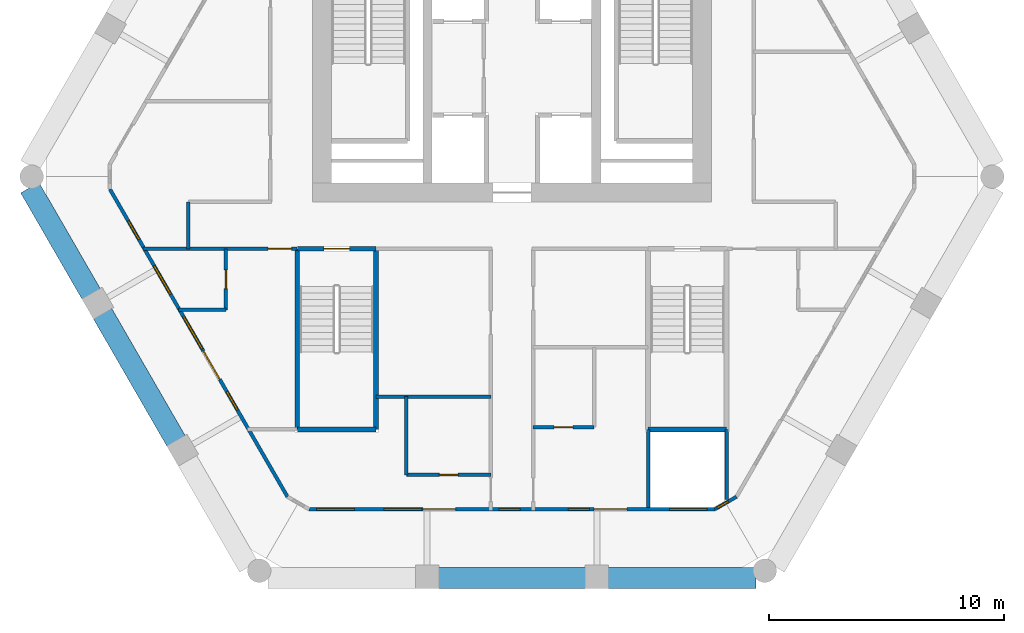
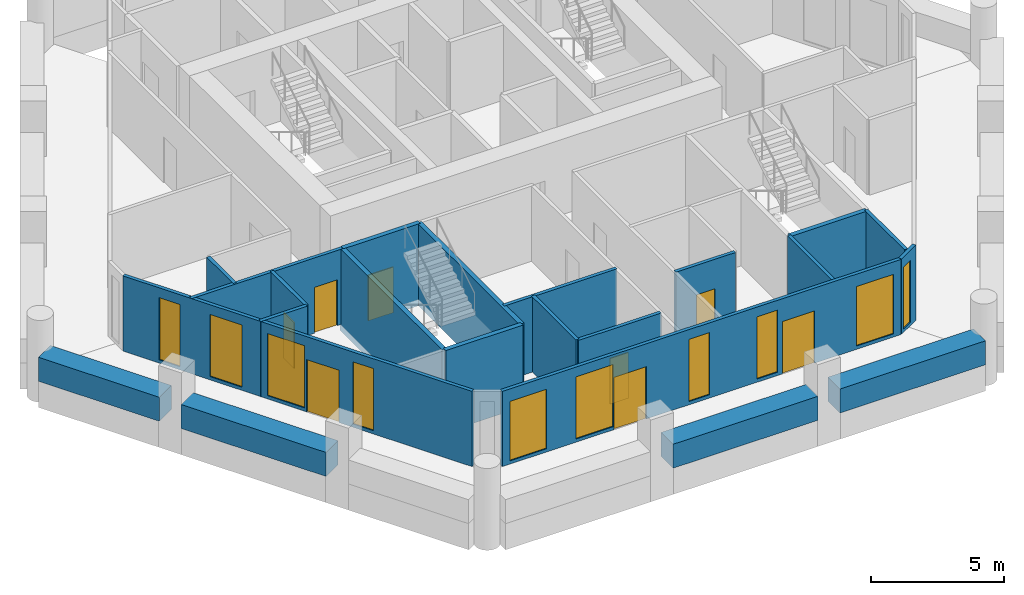
# One storey, part 2 of 7: 22 walls, 10 windows, 8 doors, 18 openings.
"""IFC4 building model written with IfcOpenShell, lengths in metres."""

from ifc_helpers import new_model, si_unit, direction, frame, frame_2d, origin, place, context, subcontext, project, spatial, rectangle, extrude, material, layer, layer_set, type_object, element, fill, save


model = new_model("IFC4")

# Units and contexts
model_context = context("Model", 3, precision=1e-05, world=origin(), true_north=direction((0.0, 1.0)))
body_context = subcontext(model_context, "Body", "Model", "MODEL_VIEW")
ifc_project = project(units=[si_unit("LENGTHUNIT", "METRE"), si_unit("AREAUNIT", "SQUARE_METRE"), si_unit("VOLUMEUNIT", "CUBIC_METRE"), si_unit("PLANEANGLEUNIT", "RADIAN"), si_unit("MASSUNIT", "GRAM", prefix="KILO")], contexts=[model_context])

# Site, building, storey
site_placement = place(None, origin())
site = spatial("IfcSite", under=ifc_project, at=site_placement, CompositionType="ELEMENT")
building_placement = place(site_placement, origin())
building = spatial("IfcBuilding", under=site, at=building_placement, Name="Ostrander Bayou Hotel Tower", CompositionType="ELEMENT")
storey_placement = place(building_placement, frame((0.0, 0.0, 183.25)))
storey = spatial("IfcBuildingStorey", under=building, at=storey_placement, Name="L45", CompositionType="ELEMENT", Elevation=183.25)

# Wall, openings, door, windows
ifc_material_1 = material(Name="Aluminium framed insulated wall", Category="aluminium")
ifc_layer_1 = layer(ifc_material_1, 0.14990234375)
ifc_layer_set_1 = layer_set([ifc_layer_1], Name="GW1 glass-line wall 150 mm")
wall_type_1 = type_object("IfcWallType", Name="GW1 glass-line wall 150 mm", PredefinedType="SOLIDWALL", material=ifc_layer_set_1)
wall_1_placement = place(storey_placement, frame((-17.144775390625, -1.154296875, 0.0), z_axis=(0.0, 0.0, 1.0), x_axis=(0.500005248668, -0.866022373443, 0.0)))
wall_1 = element("IfcWall", 1, at=wall_1_placement, inside=storey, type_object=wall_type_1, Name="GW1 L45 SW 1", PredefinedType="SOLIDWALL", context=body_context, shape_type="SweptSolid", body=[
    extrude(rectangle(XDim=15.145263671875, YDim=0.14990234375, at=frame_2d((7.57275390625, 0.0))), origin(), (0.0, 0.0, 1.0), 3.449951171875),
])
opening_1_placement = place(wall_1_placement, frame((1.57275390625, 0.0, 0.14990234375)))
opening_1 = element("IfcOpeningElement", 2, at=opening_1_placement, cuts=wall_1, Name="Opening W17", PredefinedType="OPENING", context=body_context, shape_type="SweptSolid", body=[
    extrude(rectangle(XDim=0.89990234375, YDim=2.85009765625, at=frame_2d((0.449951171875, 1.425048828125))), frame((0.0, 0.074951171875, 0.0), z_axis=(0.0, -1.0, 0.0), x_axis=(1.0, 0.0, 0.0)), (0.0, 0.0, 1.0), 0.14990234375),
])
opening_2_placement = place(wall_1_placement, frame((3.772705078125, 0.0, 0.14990234375)))
opening_2 = element("IfcOpeningElement", 3, at=opening_2_placement, cuts=wall_1, Name="Opening W13", PredefinedType="OPENING", context=body_context, shape_type="SweptSolid", body=[
    extrude(rectangle(XDim=1.39990234375, YDim=2.85009765625, at=frame_2d((0.699951171875, 1.425048828125))), frame((0.0, 0.074951171875, 0.0), z_axis=(0.0, -1.0, 0.0), x_axis=(1.0, 0.0, 0.0)), (0.0, 0.0, 1.0), 0.14990234375),
])
opening_3_placement = place(wall_1_placement, frame((6.265625, 0.0, 0.14990234375)))
opening_3 = element("IfcOpeningElement", 4, at=opening_3_placement, cuts=wall_1, Name="Opening W3", PredefinedType="OPENING", context=body_context, shape_type="SweptSolid", body=[
    extrude(rectangle(XDim=1.60009765625, YDim=2.85009765625, at=frame_2d((0.800048828125, 1.425048828125))), frame((0.0, 0.074951171875, 0.0), z_axis=(0.0, -1.0, 0.0), x_axis=(1.0, 0.0, 0.0)), (0.0, 0.0, 1.0), 0.14990234375),
])
opening_4_placement = place(wall_1_placement, frame((7.97265625, 0.0, 0.0)))
opening_4 = element("IfcOpeningElement", 5, at=opening_4_placement, cuts=wall_1, Name="Opening T44-801", PredefinedType="OPENING", context=body_context, shape_type="SweptSolid", body=[
    extrude(rectangle(XDim=1.39990234375, YDim=2.39990234375, at=frame_2d((0.699951171875, 1.199951171875))), frame((0.0, 0.074951171875, 0.0), z_axis=(0.0, -1.0, 0.0), x_axis=(1.0, 0.0, 0.0)), (0.0, 0.0, 1.0), 0.14990234375),
])
opening_5_placement = place(wall_1_placement, frame((9.97265625, 0.0, 0.14990234375)))
opening_5 = element("IfcOpeningElement", 6, at=opening_5_placement, cuts=wall_1, Name="Opening W17", PredefinedType="OPENING", context=body_context, shape_type="SweptSolid", body=[
    extrude(rectangle(XDim=0.89990234375, YDim=2.85009765625, at=frame_2d((0.449951171875, 1.425048828125))), frame((0.0, 0.074951171875, 0.0), z_axis=(0.0, -1.0, 0.0), x_axis=(1.0, 0.0, 0.0)), (0.0, 0.0, 1.0), 0.14990234375),
])
ifc_material_2 = material(Name="Aluminium and clear glass", Category="aluminium")
door_type_1 = type_object("IfcDoorType", Name="SD3 sliding glass door 1400 mm, zone 3", OperationType="SLIDING_TO_LEFT", PredefinedType="DOOR", material=ifc_material_2)
door_1_placement = place(opening_4_placement, origin())
door_1 = element("IfcDoor", 7, at=door_1_placement, inside=storey, type_object=door_type_1, Name="SD3 L45 SW 2", OperationType="SLIDING_TO_RIGHT", OverallHeight=2.39990234375, OverallWidth=1.39990234375, PredefinedType="DOOR", context=body_context, shape_type="SweptSolid", body=[
    extrude(rectangle(XDim=1.39990234375, YDim=2.39990234375, at=frame_2d((0.699951171875, 1.199951171875))), frame((0.0, 0.02490234375, 0.0), z_axis=(0.0, -1.0, 0.0), x_axis=(1.0, 0.0, 0.0)), (0.0, 0.0, 1.0), 0.050048828125),
])
fill(opening_4, door_1)
ifc_material_3 = material(Name="Aluminium and clear glass", Category="aluminium")
window_type_1 = type_object("IfcWindowType", Name="W13 fixed window 1400 mm, bath bay, zone 3", PartitioningType="SINGLE_PANEL", PredefinedType="WINDOW", material=ifc_material_3)
window_1_placement = place(opening_2_placement, origin())
window_1 = element("IfcWindow", 8, at=window_1_placement, inside=storey, type_object=window_type_1, Name="W13 L45 SW 1", OverallHeight=2.85009765625, OverallWidth=1.39990234375, PartitioningType="SINGLE_PANEL", PredefinedType="WINDOW", context=body_context, shape_type="SweptSolid", body=[
    extrude(rectangle(XDim=1.39990234375, YDim=2.85009765625, at=frame_2d((0.699951171875, 1.425048828125))), frame((0.0, 0.030029296875, 0.0), z_axis=(0.0, -1.0, 0.0), x_axis=(1.0, 0.0, 0.0)), (0.0, 0.0, 1.0), 0.06005859375),
])
fill(opening_2, window_1)
ifc_material_4 = material(Name="Aluminium and clear glass", Category="aluminium")
window_type_2 = type_object("IfcWindowType", Name="W17 window 900 mm, zone 3", PartitioningType="SINGLE_PANEL", PredefinedType="WINDOW", material=ifc_material_4)
window_2_placement = place(opening_1_placement, origin())
window_2 = element("IfcWindow", 9, at=window_2_placement, inside=storey, type_object=window_type_2, Name="W17 L45 SW 1", OverallHeight=2.85009765625, OverallWidth=0.89990234375, PartitioningType="SINGLE_PANEL", PredefinedType="WINDOW", context=body_context, shape_type="SweptSolid", body=[
    extrude(rectangle(XDim=0.89990234375, YDim=2.85009765625, at=frame_2d((0.449951171875, 1.425048828125))), frame((0.0, 0.030029296875, 0.0), z_axis=(0.0, -1.0, 0.0), x_axis=(1.0, 0.0, 0.0)), (0.0, 0.0, 1.0), 0.06005859375),
])
fill(opening_1, window_2)
window_3_placement = place(opening_5_placement, origin())
window_3 = element("IfcWindow", 10, at=window_3_placement, inside=storey, type_object=window_type_2, Name="W17 L45 SW 3", OverallHeight=2.85009765625, OverallWidth=0.89990234375, PartitioningType="SINGLE_PANEL", PredefinedType="WINDOW", context=body_context, shape_type="SweptSolid", body=[
    extrude(rectangle(XDim=0.89990234375, YDim=2.85009765625, at=frame_2d((0.449951171875, 1.425048828125))), frame((0.0, 0.030029296875, 0.0), z_axis=(0.0, -1.0, 0.0), x_axis=(1.0, 0.0, 0.0)), (0.0, 0.0, 1.0), 0.06005859375),
])
fill(opening_5, window_3)
ifc_material_5 = material(Name="Aluminium and clear glass", Category="aluminium")
window_type_3 = type_object("IfcWindowType", Name="W3 fixed window 1600 mm, zone 3", PartitioningType="SINGLE_PANEL", PredefinedType="WINDOW", material=ifc_material_5)
window_4_placement = place(opening_3_placement, origin())
window_4 = element("IfcWindow", 11, at=window_4_placement, inside=storey, type_object=window_type_3, Name="W3 L45 SW 2", OverallHeight=2.85009765625, OverallWidth=1.60009765625, PartitioningType="SINGLE_PANEL", PredefinedType="WINDOW", context=body_context, shape_type="SweptSolid", body=[
    extrude(rectangle(XDim=1.60009765625, YDim=2.85009765625, at=frame_2d((0.800048828125, 1.425048828125))), frame((0.0, 0.030029296875, 0.0), z_axis=(0.0, -1.0, 0.0), x_axis=(1.0, 0.0, 0.0)), (0.0, 0.0, 1.0), 0.06005859375),
])
fill(opening_3, window_4)

# Wall, openings, doors, windows
wall_2_placement = place(storey_placement, frame((-8.64990234375, -14.802978515625, 0.0), z_axis=(0.0, 0.0, 1.0), x_axis=(1.0, 0.0, 0.0)))
wall_2 = element("IfcWall", 12, at=wall_2_placement, inside=storey, type_object=wall_type_1, Name="GW1 L45 S 1", PredefinedType="SOLIDWALL", context=body_context, shape_type="SweptSolid", body=[
    extrude(rectangle(XDim=17.2998046875, YDim=0.14990234375, at=frame_2d((8.64990234375, 0.0))), origin(), (0.0, 0.0, 1.0), 3.449951171875),
])
opening_6_placement = place(wall_2_placement, frame((3.19970703125, 0.0, 0.14990234375)))
opening_6 = element("IfcOpeningElement", 13, at=opening_6_placement, cuts=wall_2, Name="Opening W3", PredefinedType="OPENING", context=body_context, shape_type="SweptSolid", body=[
    extrude(rectangle(XDim=1.60009765625, YDim=2.85009765625, at=frame_2d((0.800048828125, 1.425048828125))), frame((0.0, 0.074951171875, 0.0), z_axis=(0.0, -1.0, 0.0), x_axis=(1.0, 0.0, 0.0)), (0.0, 0.0, 1.0), 0.14990234375),
])
opening_7_placement = place(wall_2_placement, frame((4.849853515625, 0.0, 0.0)))
opening_7 = element("IfcOpeningElement", 14, at=opening_7_placement, cuts=wall_2, Name="Opening T44-802", PredefinedType="OPENING", context=body_context, shape_type="SweptSolid", body=[
    extrude(rectangle(XDim=1.39990234375, YDim=2.39990234375, at=frame_2d((0.699951171875, 1.199951171875))), frame((0.0, 0.074951171875, 0.0), z_axis=(0.0, -1.0, 0.0), x_axis=(1.0, 0.0, 0.0)), (0.0, 0.0, 1.0), 0.14990234375),
])
opening_8_placement = place(wall_2_placement, frame((8.099853515625, 0.0, 0.14990234375)))
opening_8 = element("IfcOpeningElement", 15, at=opening_8_placement, cuts=wall_2, Name="Opening W17", PredefinedType="OPENING", context=body_context, shape_type="SweptSolid", body=[
    extrude(rectangle(XDim=0.89990234375, YDim=2.85009765625, at=frame_2d((0.449951171875, 1.425048828125))), frame((0.0, 0.074951171875, 0.0), z_axis=(0.0, -1.0, 0.0), x_axis=(1.0, 0.0, 0.0)), (0.0, 0.0, 1.0), 0.14990234375),
])
opening_9_placement = place(wall_2_placement, frame((11.0498046875, 0.0, 0.14990234375)))
opening_9 = element("IfcOpeningElement", 16, at=opening_9_placement, cuts=wall_2, Name="Opening W17", PredefinedType="OPENING", context=body_context, shape_type="SweptSolid", body=[
    extrude(rectangle(XDim=0.89990234375, YDim=2.85009765625, at=frame_2d((0.449951171875, 1.425048828125))), frame((0.0, 0.074951171875, 0.0), z_axis=(0.0, -1.0, 0.0), x_axis=(1.0, 0.0, 0.0)), (0.0, 0.0, 1.0), 0.14990234375),
])
opening_10_placement = place(wall_2_placement, frame((12.14990234375, 0.0, 0.0)))
opening_10 = element("IfcOpeningElement", 17, at=opening_10_placement, cuts=wall_2, Name="Opening T44-803", PredefinedType="OPENING", context=body_context, shape_type="SweptSolid", body=[
    extrude(rectangle(XDim=1.39990234375, YDim=2.39990234375, at=frame_2d((0.699951171875, 1.199951171875))), frame((0.0, 0.074951171875, 0.0), z_axis=(0.0, -1.0, 0.0), x_axis=(1.0, 0.0, 0.0)), (0.0, 0.0, 1.0), 0.14990234375),
])
opening_11_placement = place(wall_2_placement, frame((0.324951171875, 0.0, 0.14990234375)))
opening_11 = element("IfcOpeningElement", 18, at=opening_11_placement, cuts=wall_2, Name="Opening W3", PredefinedType="OPENING", context=body_context, shape_type="SweptSolid", body=[
    extrude(rectangle(XDim=1.60009765625, YDim=2.72998046875, at=frame_2d((0.800048828125, 1.364990234375))), frame((0.0, 0.074951171875, 0.0), z_axis=(0.0, -1.0, 0.0), x_axis=(1.0, 0.0, 0.0)), (0.0, 0.0, 1.0), 0.14990234375),
])
opening_12_placement = place(wall_2_placement, frame((15.374755859375, 0.0, 0.14990234375)))
opening_12 = element("IfcOpeningElement", 19, at=opening_12_placement, cuts=wall_2, Name="Opening W3", PredefinedType="OPENING", context=body_context, shape_type="SweptSolid", body=[
    extrude(rectangle(XDim=1.60009765625, YDim=2.72998046875, at=frame_2d((0.800048828125, 1.364990234375))), frame((0.0, 0.074951171875, 0.0), z_axis=(0.0, -1.0, 0.0), x_axis=(1.0, 0.0, 0.0)), (0.0, 0.0, 1.0), 0.14990234375),
])
door_2_placement = place(opening_7_placement, origin())
door_2 = element("IfcDoor", 20, at=door_2_placement, inside=storey, type_object=door_type_1, Name="SD3 L45 S 1", OperationType="SLIDING_TO_LEFT", OverallHeight=2.39990234375, OverallWidth=1.39990234375, PredefinedType="DOOR", context=body_context, shape_type="SweptSolid", body=[
    extrude(rectangle(XDim=1.39990234375, YDim=2.39990234375, at=frame_2d((0.699951171875, 1.199951171875))), frame((0.0, 0.02490234375, 0.0), z_axis=(0.0, -1.0, 0.0), x_axis=(1.0, 0.0, 0.0)), (0.0, 0.0, 1.0), 0.050048828125),
])
fill(opening_7, door_2)
door_3_placement = place(opening_10_placement, origin())
door_3 = element("IfcDoor", 21, at=door_3_placement, inside=storey, type_object=door_type_1, Name="SD3 L45 S 3", OperationType="SLIDING_TO_LEFT", OverallHeight=2.39990234375, OverallWidth=1.39990234375, PredefinedType="DOOR", context=body_context, shape_type="SweptSolid", body=[
    extrude(rectangle(XDim=1.39990234375, YDim=2.39990234375, at=frame_2d((0.699951171875, 1.199951171875))), frame((0.0, 0.02490234375, 0.0), z_axis=(0.0, -1.0, 0.0), x_axis=(1.0, 0.0, 0.0)), (0.0, 0.0, 1.0), 0.050048828125),
])
fill(opening_10, door_3)
window_5_placement = place(opening_8_placement, origin())
window_5 = element("IfcWindow", 22, at=window_5_placement, inside=storey, type_object=window_type_2, Name="W17 L45 S 2", OverallHeight=2.85009765625, OverallWidth=0.89990234375, PartitioningType="SINGLE_PANEL", PredefinedType="WINDOW", context=body_context, shape_type="SweptSolid", body=[
    extrude(rectangle(XDim=0.89990234375, YDim=2.85009765625, at=frame_2d((0.449951171875, 1.425048828125))), frame((0.0, 0.030029296875, 0.0), z_axis=(0.0, -1.0, 0.0), x_axis=(1.0, 0.0, 0.0)), (0.0, 0.0, 1.0), 0.06005859375),
])
fill(opening_8, window_5)
window_6_placement = place(opening_9_placement, origin())
window_6 = element("IfcWindow", 23, at=window_6_placement, inside=storey, type_object=window_type_2, Name="W17 L45 S 3", OverallHeight=2.85009765625, OverallWidth=0.89990234375, PartitioningType="SINGLE_PANEL", PredefinedType="WINDOW", context=body_context, shape_type="SweptSolid", body=[
    extrude(rectangle(XDim=0.89990234375, YDim=2.85009765625, at=frame_2d((0.449951171875, 1.425048828125))), frame((0.0, 0.030029296875, 0.0), z_axis=(0.0, -1.0, 0.0), x_axis=(1.0, 0.0, 0.0)), (0.0, 0.0, 1.0), 0.06005859375),
])
fill(opening_9, window_6)
window_7_placement = place(opening_6_placement, origin())
window_7 = element("IfcWindow", 24, at=window_7_placement, inside=storey, type_object=window_type_3, Name="W3 L45 S 1", OverallHeight=2.85009765625, OverallWidth=1.60009765625, PartitioningType="SINGLE_PANEL", PredefinedType="WINDOW", context=body_context, shape_type="SweptSolid", body=[
    extrude(rectangle(XDim=1.60009765625, YDim=2.85009765625, at=frame_2d((0.800048828125, 1.425048828125))), frame((0.0, 0.030029296875, 0.0), z_axis=(0.0, -1.0, 0.0), x_axis=(1.0, 0.0, 0.0)), (0.0, 0.0, 1.0), 0.06005859375),
])
fill(opening_6, window_7)
window_8_placement = place(opening_11_placement, origin())
window_8 = element("IfcWindow", 25, at=window_8_placement, inside=storey, type_object=window_type_3, Name="W3 L45 S E11", OverallHeight=2.72998046875, OverallWidth=1.60009765625, PartitioningType="SINGLE_PANEL", PredefinedType="WINDOW", context=body_context, shape_type="SweptSolid", body=[
    extrude(rectangle(XDim=1.60009765625, YDim=2.72998046875, at=frame_2d((0.800048828125, 1.364990234375))), frame((0.0, 0.030029296875, 0.0), z_axis=(0.0, -1.0, 0.0), x_axis=(1.0, 0.0, 0.0)), (0.0, 0.0, 1.0), 0.06005859375),
])
fill(opening_11, window_8)
window_9_placement = place(opening_12_placement, origin())
window_9 = element("IfcWindow", 26, at=window_9_placement, inside=storey, type_object=window_type_3, Name="W3 L45 S E21", OverallHeight=2.72998046875, OverallWidth=1.60009765625, PartitioningType="SINGLE_PANEL", PredefinedType="WINDOW", context=body_context, shape_type="SweptSolid", body=[
    extrude(rectangle(XDim=1.60009765625, YDim=2.72998046875, at=frame_2d((0.800048828125, 1.364990234375))), frame((0.0, 0.030029296875, 0.0), z_axis=(0.0, -1.0, 0.0), x_axis=(1.0, 0.0, 0.0)), (0.0, 0.0, 1.0), 0.06005859375),
])
fill(opening_12, window_9)

# Wall, opening, window
wall_3_placement = place(storey_placement, frame((8.64990234375, -14.802978515625, 0.0), z_axis=(0.0, 0.0, 1.0), x_axis=(0.865990848561, 0.500059846627, 0.0)))
wall_3 = element("IfcWall", 27, at=wall_3_placement, inside=storey, type_object=wall_type_1, Name="GW1 L45 corner 4", PredefinedType="SOLIDWALL", context=body_context, shape_type="SweptSolid", body=[
    extrude(rectangle(XDim=1.064697265625, YDim=0.14990234375, at=frame_2d((0.5322265625, 0.0))), origin(), (0.0, 0.0, 1.0), 3.449951171875),
])
opening_13_placement = place(wall_3_placement, frame((0.1201171875, 0.0, 0.14990234375)))
opening_13 = element("IfcOpeningElement", 28, at=opening_13_placement, cuts=wall_3, Name="Opening W19", PredefinedType="OPENING", context=body_context, shape_type="SweptSolid", body=[
    extrude(rectangle(XDim=0.550048828125, YDim=2.85009765625, at=frame_2d((0.27490234375, 1.425048828125))), frame((0.0, 0.074951171875, 0.0), z_axis=(0.0, -1.0, 0.0), x_axis=(1.0, 0.0, 0.0)), (0.0, 0.0, 1.0), 0.14990234375),
])
ifc_material_6 = material(Name="Aluminium and clear glass", Category="aluminium")
window_type_4 = type_object("IfcWindowType", Name="W19 corner window 550 mm", PartitioningType="SINGLE_PANEL", PredefinedType="WINDOW", material=ifc_material_6)
window_10_placement = place(opening_13_placement, origin())
window_10 = element("IfcWindow", 29, at=window_10_placement, inside=storey, type_object=window_type_4, Name="W19 L45 corner 4", OverallHeight=2.85009765625, OverallWidth=0.550048828125, PartitioningType="SINGLE_PANEL", PredefinedType="WINDOW", context=body_context, shape_type="SweptSolid", body=[
    extrude(rectangle(XDim=0.550048828125, YDim=2.85009765625, at=frame_2d((0.27490234375, 1.425048828125))), frame((0.0, 0.030029296875, 0.0), z_axis=(0.0, -1.0, 0.0), x_axis=(1.0, 0.0, 0.0)), (0.0, 0.0, 1.0), 0.06005859375),
])
fill(opening_13, window_10)

# Walls
ifc_material_7 = material(Name="Concrete f'c 40 MPa", Category="concrete")
ifc_layer_2 = layer(ifc_material_7, 0.89990234375)
ifc_layer_set_2 = layer_set([ifc_layer_2], Name="PA1 stone-faced parapet 900 mm")
wall_type_2 = type_object("IfcWallType", Name="PA1 stone-faced parapet 900 mm", PredefinedType="PARAPET", material=ifc_layer_set_2)
wall_4_placement = place(storey_placement, frame((-3.148193359375, -17.72802734375, 0.0), z_axis=(0.0, 0.0, 1.0), x_axis=(1.0, 0.0, 0.0)))
element("IfcWall", 30, at=wall_4_placement, inside=storey, type_object=wall_type_2, Name="PA1 L45 S-2", PredefinedType="PARAPET", context=body_context, shape_type="SweptSolid", body=[
    extrude(rectangle(XDim=6.29638671875, YDim=0.89990234375, at=frame_2d((3.148193359375, 0.0))), origin(), (0.0, 0.0, 1.0), 1.10009765625),
])
wall_5_placement = place(storey_placement, frame((4.088134765625, -17.72802734375, 0.0), z_axis=(0.0, 0.0, 1.0), x_axis=(1.0, 0.0, 0.0)))
element("IfcWall", 31, at=wall_5_placement, inside=storey, type_object=wall_type_2, Name="PA1 L45 S-3", PredefinedType="PARAPET", context=body_context, shape_type="SweptSolid", body=[
    extrude(rectangle(XDim=6.32275390625, YDim=0.89990234375, at=frame_2d((3.161376953125, 0.0))), origin(), (0.0, 0.0, 1.0), 1.10009765625),
])
ifc_material_8 = material(Name="Limestone masonry", Category="masonry")
ifc_layer_3 = layer(ifc_material_8, 0.89990234375)
ifc_layer_set_3 = layer_set([ifc_layer_3], Name="PA2 limestone parapet 900 mm")
wall_type_3 = type_object("IfcWallType", Name="PA2 limestone parapet 900 mm", PredefinedType="PARAPET", material=ifc_layer_set_3)
wall_6_placement = place(storey_placement, frame((-20.55859375, -1.091552734375, 0.0), z_axis=(0.0, 0.0, 1.0), x_axis=(0.500023253097, -0.866011978186, 0.0)))
element("IfcWall", 32, at=wall_6_placement, inside=storey, type_object=wall_type_3, Name="PA2 L45 SW-1", PredefinedType="PARAPET", context=body_context, shape_type="SweptSolid", body=[
    extrude(rectangle(XDim=5.245849609375, YDim=0.89990234375, at=frame_2d((2.623046875, 0.0))), origin(), (0.0, 0.0, 1.0), 1.10009765625),
])
wall_7_placement = place(storey_placement, frame((-17.465576171875, -6.44873046875, 0.0), z_axis=(0.0, 0.0, 1.0), x_axis=(0.500013351051, -0.866017695414, 0.0)))
element("IfcWall", 33, at=wall_7_placement, inside=storey, type_object=wall_type_3, Name="PA2 L45 SW-2", PredefinedType="PARAPET", context=body_context, shape_type="SweptSolid", body=[
    extrude(rectangle(XDim=6.296142578125, YDim=0.89990234375, at=frame_2d((3.14794921875, 0.0))), origin(), (0.0, 0.0, 1.0), 1.10009765625),
])
ifc_material_9 = material(Name="Gypsum board partition", Category="finish")
ifc_layer_4 = layer(ifc_material_9, 0.14990234375)
ifc_layer_set_4 = layer_set([ifc_layer_4], Name="PT7 riser wall 150 mm, 2 hour")
wall_type_4 = type_object("IfcWallType", Name="PT7 riser wall 150 mm, 2 hour", PredefinedType="PARTITIONING", material=ifc_layer_set_4)
wall_8_placement = place(storey_placement, frame((5.800048828125, -11.39990234375, 0.0), z_axis=(0.0, 0.0, 1.0), x_axis=(0.0, -1.0, 0.0)))
element("IfcWall", 34, at=wall_8_placement, inside=storey, type_object=wall_type_4, Name="cs:L45:019", PredefinedType="PARTITIONING", context=body_context, shape_type="SweptSolid", body=[
    extrude(rectangle(XDim=3.328125, YDim=0.14990234375, at=frame_2d((1.6640625, 0.0))), origin(), (0.0, 0.0, 1.0), 3.449951171875),
])
wall_9_placement = place(storey_placement, frame((9.14990234375, -11.39990234375, 0.0), z_axis=(0.0, 0.0, 1.0), x_axis=(0.0, -1.0, 0.0)))
element("IfcWall", 35, at=wall_9_placement, inside=storey, type_object=wall_type_4, Name="cs:L45:020", PredefinedType="PARTITIONING", context=body_context, shape_type="SweptSolid", body=[
    extrude(rectangle(XDim=2.99609375, YDim=0.14990234375, at=frame_2d((1.498046875, 0.0))), origin(), (0.0, 0.0, 1.0), 3.449951171875),
])

# Wall, opening, door
ifc_material_10 = material(Name="Gypsum board partition", Category="finish")
ifc_layer_5 = layer(ifc_material_10, 0.14990234375)
ifc_layer_set_5 = layer_set([ifc_layer_5], Name="PT8 service band wall 150 mm, 1 hour")
wall_type_5 = type_object("IfcWallType", Name="PT8 service band wall 150 mm, 1 hour", PredefinedType="PARTITIONING", material=ifc_layer_set_5)
wall_10_placement = place(storey_placement, frame((-4.5, -13.340087890625, 0.0), z_axis=(0.0, 0.0, 1.0), x_axis=(1.0, 0.0, 0.0)))
wall_10 = element("IfcWall", 36, at=wall_10_placement, inside=storey, type_object=wall_type_5, Name="gw:L45:001", PredefinedType="PARTITIONING", context=body_context, shape_type="SweptSolid", body=[
    extrude(rectangle(XDim=3.60009765625, YDim=0.14990234375, at=frame_2d((1.800048828125, 0.0))), origin(), (0.0, 0.0, 1.0), 3.449951171875),
])
opening_14_placement = place(wall_10_placement, frame((1.39990234375, 0.0, 0.0)))
opening_14 = element("IfcOpeningElement", 37, at=opening_14_placement, cuts=wall_10, Name="Opening T44-404", PredefinedType="OPENING", context=body_context, shape_type="SweptSolid", body=[
    extrude(rectangle(XDim=0.800048828125, YDim=2.10009765625, at=frame_2d((0.39990234375, 1.050048828125))), frame((0.0, 0.074951171875, 0.0), z_axis=(0.0, -1.0, 0.0), x_axis=(1.0, 0.0, 0.0)), (0.0, 0.0, 1.0), 0.14990234375),
])
ifc_material_11 = material(Name="Timber door leaf", Category="wood")
door_type_2 = type_object("IfcDoorType", Name="D2 bathroom door 800 x 2100 mm", OperationType="SINGLE_SWING_LEFT", PredefinedType="DOOR", material=ifc_material_11)
door_4_placement = place(opening_14_placement, origin())
door_4 = element("IfcDoor", 38, at=door_4_placement, inside=storey, type_object=door_type_2, Name="dr:L45:404", OperationType="SINGLE_SWING_RIGHT", OverallHeight=2.10009765625, OverallWidth=0.800048828125, PredefinedType="DOOR", context=body_context, shape_type="SweptSolid", body=[
    extrude(rectangle(XDim=0.800048828125, YDim=2.10009765625, at=frame_2d((0.39990234375, 1.050048828125))), frame((0.0, 0.02490234375, 0.0), z_axis=(0.0, -1.0, 0.0), x_axis=(1.0, 0.0, 0.0)), (0.0, 0.0, 1.0), 0.050048828125),
])
fill(opening_14, door_4)

wall_11_placement = place(storey_placement, frame((0.89990234375, -11.300048828125, 0.0), z_axis=(0.0, 0.0, 1.0), x_axis=(1.0, 0.0, 0.0)))
wall_11 = element("IfcWall", 39, at=wall_11_placement, inside=storey, type_object=wall_type_5, Name="gw:L45:003", PredefinedType="PARTITIONING", context=body_context, shape_type="SweptSolid", body=[
    extrude(rectangle(XDim=2.60009765625, YDim=0.14990234375, at=frame_2d((1.300048828125, 0.0))), origin(), (0.0, 0.0, 1.0), 3.449951171875),
])
opening_15_placement = place(wall_11_placement, frame((0.89990234375, 0.0, 0.0)))
opening_15 = element("IfcOpeningElement", 40, at=opening_15_placement, cuts=wall_11, Name="Opening T44-407", PredefinedType="OPENING", context=body_context, shape_type="SweptSolid", body=[
    extrude(rectangle(XDim=0.800048828125, YDim=2.10009765625, at=frame_2d((0.39990234375, 1.050048828125))), frame((0.0, 0.074951171875, 0.0), z_axis=(0.0, -1.0, 0.0), x_axis=(1.0, 0.0, 0.0)), (0.0, 0.0, 1.0), 0.14990234375),
])
door_5_placement = place(opening_15_placement, origin())
door_5 = element("IfcDoor", 41, at=door_5_placement, inside=storey, type_object=door_type_2, Name="dr:L45:407", OperationType="SINGLE_SWING_LEFT", OverallHeight=2.10009765625, OverallWidth=0.800048828125, PredefinedType="DOOR", context=body_context, shape_type="SweptSolid", body=[
    extrude(rectangle(XDim=0.800048828125, YDim=2.10009765625, at=frame_2d((0.39990234375, 1.050048828125))), frame((0.0, 0.02490234375, 0.0), z_axis=(0.0, -1.0, 0.0), x_axis=(1.0, 0.0, 0.0)), (0.0, 0.0, 1.0), 0.050048828125),
])
fill(opening_15, door_5)

# Walls
wall_12_placement = place(storey_placement, frame((-5.7900390625, -10.0, 0.0), z_axis=(0.0, 0.0, 1.0), x_axis=(1.0, 0.0, 0.0)))
element("IfcWall", 42, at=wall_12_placement, inside=storey, type_object=wall_type_5, Name="gw:L45:004", PredefinedType="PARTITIONING", context=body_context, shape_type="SweptSolid", body=[
    extrude(rectangle(XDim=4.89013671875, YDim=0.14990234375, at=frame_2d((2.445068359375, 0.0))), origin(), (0.0, 0.0, 1.0), 3.449951171875),
])
wall_13_placement = place(storey_placement, frame((-14.22607421875, -6.300048828125, 0.0), z_axis=(0.0, 0.0, 1.0), x_axis=(1.0, 0.0, 0.0)))
element("IfcWall", 43, at=wall_13_placement, inside=storey, type_object=wall_type_5, Name="gw:L45:006", PredefinedType="PARTITIONING", context=body_context, shape_type="SweptSolid", body=[
    extrude(rectangle(XDim=2.031005859375, YDim=0.14990234375, at=frame_2d((1.015625, 0.0))), origin(), (0.0, 0.0, 1.0), 3.449951171875),
])

# Wall, opening, door
wall_14_placement = place(storey_placement, frame((-15.72705078125, -3.699951171875, 0.0), z_axis=(0.0, 0.0, 1.0), x_axis=(1.0, 0.0, 0.0)))
wall_14 = element("IfcWall", 44, at=wall_14_placement, inside=storey, type_object=wall_type_5, Name="gw:L45:008", PredefinedType="PARTITIONING", context=body_context, shape_type="SweptSolid", body=[
    extrude(rectangle(XDim=6.567138671875, YDim=0.14990234375, at=frame_2d((3.28369140625, 0.0))), origin(), (0.0, 0.0, 1.0), 3.449951171875),
])
opening_16_placement = place(wall_14_placement, frame((5.326904296875, 0.0, 0.0)))
opening_16 = element("IfcOpeningElement", 45, at=opening_16_placement, cuts=wall_14, Name="Opening T44-400", PredefinedType="OPENING", context=body_context, shape_type="SweptSolid", body=[
    extrude(rectangle(XDim=1.0, YDim=2.10009765625, at=frame_2d((0.5, 1.050048828125))), frame((0.0, 0.074951171875, 0.0), z_axis=(0.0, -1.0, 0.0), x_axis=(1.0, 0.0, 0.0)), (0.0, 0.0, 1.0), 0.14990234375),
])
ifc_material_12 = material(Name="Timber door leaf", Category="wood")
door_type_3 = type_object("IfcDoorType", Name="D1 guest room door 1000 x 2100 mm, 30 minute", OperationType="SINGLE_SWING_LEFT", PredefinedType="DOOR", material=ifc_material_12)
door_6_placement = place(opening_16_placement, origin())
door_6 = element("IfcDoor", 46, at=door_6_placement, inside=storey, type_object=door_type_3, Name="dr:L45:400", OperationType="SINGLE_SWING_RIGHT", OverallHeight=2.10009765625, OverallWidth=1.0, PredefinedType="DOOR", context=body_context, shape_type="SweptSolid", body=[
    extrude(rectangle(XDim=1.0, YDim=2.10009765625, at=frame_2d((0.5, 1.050048828125))), frame((0.0, 0.02490234375, 0.0), z_axis=(0.0, -1.0, 0.0), x_axis=(1.0, 0.0, 0.0)), (0.0, 0.0, 1.0), 0.050048828125),
])
fill(opening_16, door_6)

# Wall
wall_15_placement = place(storey_placement, frame((-4.5, -13.340087890625, 0.0), z_axis=(0.0, 0.0, 1.0), x_axis=(0.0, 1.0, 0.0)))
element("IfcWall", 47, at=wall_15_placement, inside=storey, type_object=wall_type_5, Name="gw:L45:027", PredefinedType="PARTITIONING", context=body_context, shape_type="SweptSolid", body=[
    extrude(rectangle(XDim=3.340087890625, YDim=0.14990234375, at=frame_2d((1.669921875, 0.0))), origin(), (0.0, 0.0, 1.0), 3.449951171875),
])

# Wall, opening, door
wall_16_placement = place(storey_placement, frame((-12.195068359375, -6.300048828125, 0.0), z_axis=(0.0, 0.0, 1.0), x_axis=(0.0, 1.0, 0.0)))
wall_16 = element("IfcWall", 48, at=wall_16_placement, inside=storey, type_object=wall_type_5, Name="gw:L45:030", PredefinedType="PARTITIONING", context=body_context, shape_type="SweptSolid", body=[
    extrude(rectangle(XDim=2.60009765625, YDim=0.14990234375, at=frame_2d((1.300048828125, 0.0))), origin(), (0.0, 0.0, 1.0), 3.449951171875),
])
opening_17_placement = place(wall_16_placement, frame((0.89990234375, 0.0, 0.0)))
opening_17 = element("IfcOpeningElement", 49, at=opening_17_placement, cuts=wall_16, Name="Opening T44-401", PredefinedType="OPENING", context=body_context, shape_type="SweptSolid", body=[
    extrude(rectangle(XDim=0.800048828125, YDim=2.10009765625, at=frame_2d((0.39990234375, 1.050048828125))), frame((0.0, 0.074951171875, 0.0), z_axis=(0.0, -1.0, 0.0), x_axis=(1.0, 0.0, 0.0)), (0.0, 0.0, 1.0), 0.14990234375),
])
door_7_placement = place(opening_17_placement, origin())
door_7 = element("IfcDoor", 50, at=door_7_placement, inside=storey, type_object=door_type_2, Name="dr:L45:401", OperationType="SINGLE_SWING_RIGHT", OverallHeight=2.10009765625, OverallWidth=0.800048828125, PredefinedType="DOOR", context=body_context, shape_type="SweptSolid", body=[
    extrude(rectangle(XDim=0.800048828125, YDim=2.10009765625, at=frame_2d((0.39990234375, 1.050048828125))), frame((0.0, 0.02490234375, 0.0), z_axis=(0.0, -1.0, 0.0), x_axis=(1.0, 0.0, 0.0)), (0.0, 0.0, 1.0), 0.050048828125),
])
fill(opening_17, door_7)

# Walls
wall_17_placement = place(storey_placement, frame((-13.800048828125, -3.699951171875, 0.0), z_axis=(0.0, 0.0, 1.0), x_axis=(0.0, 1.0, 0.0)))
element("IfcWall", 51, at=wall_17_placement, inside=storey, type_object=wall_type_5, Name="gw:L45:031", PredefinedType="PARTITIONING", context=body_context, shape_type="SweptSolid", body=[
    extrude(rectangle(XDim=2.0, YDim=0.14990234375, at=frame_2d((1.0, 0.0))), origin(), (0.0, 0.0, 1.0), 3.449951171875),
])
ifc_material_13 = material(Name="Concrete f'c 45 MPa", Category="concrete")
ifc_layer_6 = layer(ifc_material_13, 0.199951171875)
ifc_layer_set_6 = layer_set([ifc_layer_6], Name="SW5 stair enclosure wall 200 mm f'c 45 MPa")
wall_type_6 = type_object("IfcWallType", Name="SW5 stair enclosure wall 200 mm f'c 45 MPa", PredefinedType="SOLIDWALL", material=ifc_layer_set_6)
wall_18_placement = place(storey_placement, frame((5.800048828125, -11.39990234375, -0.300048828125), z_axis=(0.0, 0.0, 1.0), x_axis=(1.0, 0.0, 0.0)))
element("IfcWall", 52, at=wall_18_placement, inside=storey, type_object=wall_type_6, Name="cs:L45:018", PredefinedType="SOLIDWALL", context=body_context, shape_type="SweptSolid", body=[
    extrude(rectangle(XDim=3.349853515625, YDim=0.199951171875, at=frame_2d((1.6748046875, 0.0))), origin(), (0.0, 0.0, 1.0), 3.75),
])

# Wall, opening, door
wall_19_placement = place(storey_placement, frame((-9.14990234375, -3.699951171875, -0.300048828125), z_axis=(0.0, 0.0, 1.0), x_axis=(1.0, 0.0, 0.0)))
wall_19 = element("IfcWall", 53, at=wall_19_placement, inside=storey, type_object=wall_type_6, Name="cs:L45:021", PredefinedType="SOLIDWALL", context=body_context, shape_type="SweptSolid", body=[
    extrude(rectangle(XDim=3.349853515625, YDim=0.199951171875, at=frame_2d((1.6748046875, 0.0))), origin(), (0.0, 0.0, 1.0), 3.75),
])
opening_18_placement = place(wall_19_placement, frame((1.125, 0.0, 0.0)))
opening_18 = element("IfcOpeningElement", 54, at=opening_18_placement, cuts=wall_19, Name="Opening T44-012", PredefinedType="OPENING", context=body_context, shape_type="SweptSolid", body=[
    extrude(rectangle(XDim=1.10009765625, YDim=2.10009765625, at=frame_2d((0.550048828125, 1.050048828125))), frame((0.0, 0.10009765625, 0.0), z_axis=(0.0, -1.0, 0.0), x_axis=(1.0, 0.0, 0.0)), (0.0, 0.0, 1.0), 0.199951171875),
])
ifc_material_14 = material(Name="Timber door leaf", Category="wood")
door_type_4 = type_object("IfcDoorType", Name="D5 stair door 1100 x 2100 mm, 90 minute", OperationType="SINGLE_SWING_LEFT", PredefinedType="DOOR", material=ifc_material_14)
door_8_placement = place(opening_18_placement, origin())
door_8 = element("IfcDoor", 55, at=door_8_placement, inside=storey, type_object=door_type_4, Name="dr:L45:012", OperationType="SINGLE_SWING_LEFT", OverallHeight=2.10009765625, OverallWidth=1.10009765625, PredefinedType="DOOR", context=body_context, shape_type="SweptSolid", body=[
    extrude(rectangle(XDim=1.10009765625, YDim=2.10009765625, at=frame_2d((0.550048828125, 1.050048828125))), frame((0.0, 0.02490234375, 0.0), z_axis=(0.0, -1.0, 0.0), x_axis=(1.0, 0.0, 0.0)), (0.0, 0.0, 1.0), 0.050048828125),
])
fill(opening_18, door_8)

# Walls
for number, where, z_axis, x_axis, name in (
    (56, (-9.14990234375, -3.699951171875, -0.300048828125), (0.0, 0.0, 1.0), (0.0, -1.0, 0.0), "cs:L45:022"),
    (57, (-5.800048828125, -3.699951171875, -0.300048828125), (0.0, 0.0, 1.0), (0.0, -1.0, 0.0), "cs:L45:023"),
):
    element("IfcWall", number, at=place(storey_placement, frame(where, z_axis=z_axis, x_axis=x_axis)), inside=storey, type_object=wall_type_6, Name=name, PredefinedType="SOLIDWALL", context=body_context, shape_type="SweptSolid", body=[
        extrude(rectangle(XDim=7.699951171875, YDim=0.199951171875, at=frame_2d((3.85009765625, 0.0))), origin(), (0.0, 0.0, 1.0), 3.75),
    ])
wall_20_placement = place(storey_placement, frame((-9.14990234375, -11.39990234375, -0.300048828125), z_axis=(0.0, 0.0, 1.0), x_axis=(1.0, 0.0, 0.0)))
element("IfcWall", 58, at=wall_20_placement, inside=storey, type_object=wall_type_6, Name="cs:L45:024", PredefinedType="SOLIDWALL", context=body_context, shape_type="SweptSolid", body=[
    extrude(rectangle(XDim=3.349853515625, YDim=0.199951171875, at=frame_2d((1.6748046875, 0.0))), origin(), (0.0, 0.0, 1.0), 3.75),
])

save(model, "model.ifc")
